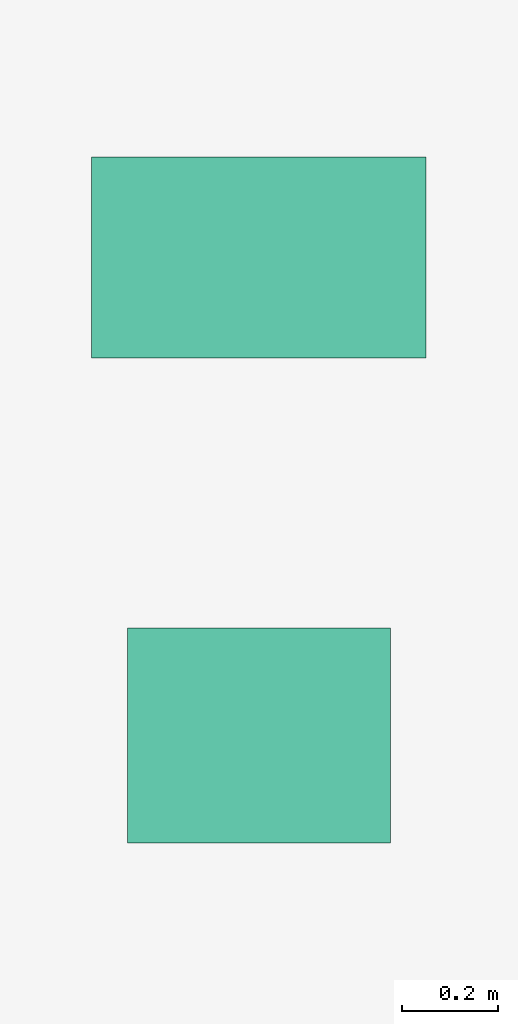
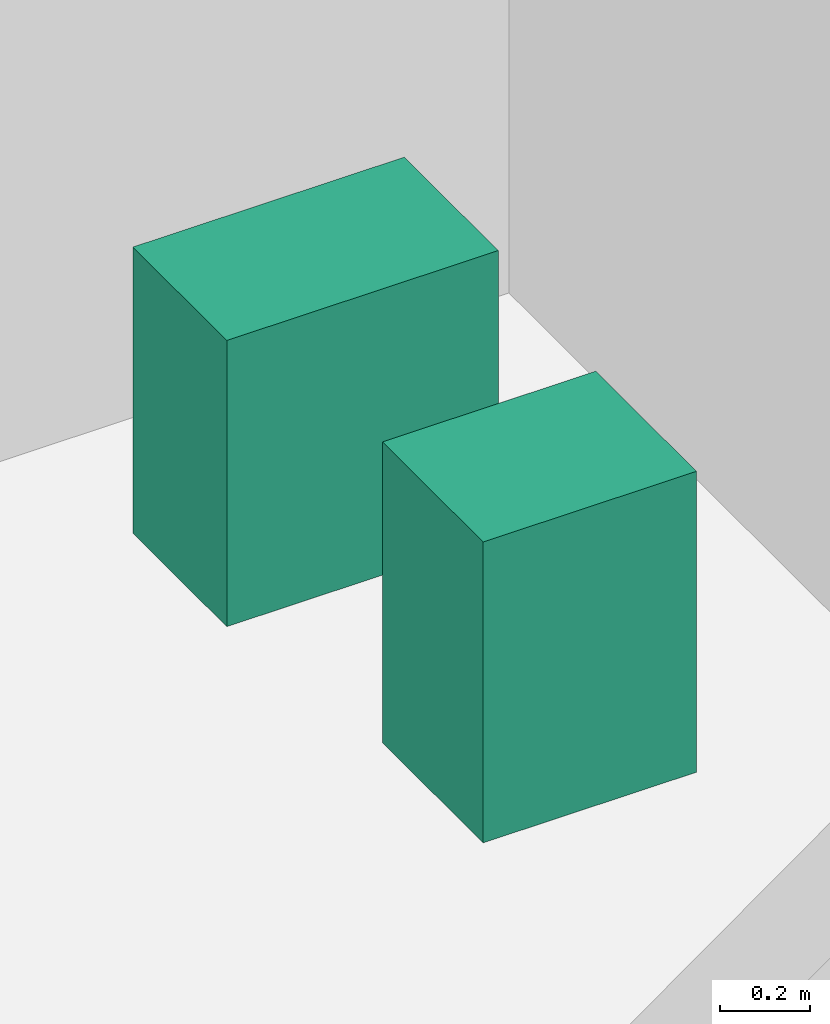
# One storey, part 28 of 28: 2 sanitary terminals.
"""IFC4 building model written with IfcOpenShell, lengths in metres."""

from ifc_helpers import new_model, si_unit, direction, frame, origin, origin_2d, place, context, subcontext, project, spatial, rectangle, extrude, source, transform, mapped, material, type_object, element, save


model = new_model("IFC4")

# Units and contexts
model_context = context("Model", 3, precision=1e-05, world=origin(), true_north=direction((0.0, 1.0)))
body_context = subcontext(model_context, "Body", "Model", "MODEL_VIEW")
ifc_project = project(units=[si_unit("LENGTHUNIT", "METRE"), si_unit("AREAUNIT", "SQUARE_METRE"), si_unit("VOLUMEUNIT", "CUBIC_METRE"), si_unit("PLANEANGLEUNIT", "RADIAN"), si_unit("MASSUNIT", "GRAM", prefix="KILO")], contexts=[model_context])

# Site, building, storey
site_placement = place(None, origin())
site = spatial("IfcSite", under=ifc_project, at=site_placement, CompositionType="ELEMENT")
building_placement = place(site_placement, origin())
building = spatial("IfcBuilding", under=site, at=building_placement, Name="Sumidabori Civic Tower", CompositionType="ELEMENT")
storey_placement = place(building_placement, frame((0.0, 0.0, 171.199951171875)))
storey = spatial("IfcBuildingStorey", under=building, at=storey_placement, Name="L44", CompositionType="ELEMENT", Elevation=171.199951171875)

# Sanitary terminals
ifc_material = material(Name="Vitreous Sanitary Porcelain")
sanitary_terminal_type_1 = type_object("IfcSanitaryTerminalType", Name="SN-WC-1", PredefinedType="TOILETPAN", material=ifc_material)
shared_shape_1 = source(origin(), body_context, "Body", "SweptSolid", [
    extrude(rectangle(XDim=0.699951171875, YDim=0.419921875, at=origin_2d()), origin(), (0.0, 0.0, 1.0), 0.780029296875),
])
sanitary_terminal_1_placement = place(storey_placement, frame((10.800048828125, 21.85009765625, 0.0), z_axis=(0.0, 0.0, 1.0), x_axis=(1.0, 0.0, 0.0)))
element("IfcSanitaryTerminal", 1, at=sanitary_terminal_1_placement, inside=storey, type_object=sanitary_terminal_type_1, Name="Accessible WC Pan L44", PredefinedType="TOILETPAN", context=body_context, shape_type="MappedRepresentation", body=[
    mapped(shared_shape_1, transform((0.0, 0.0, 0.0), x_axis=(1.0, 0.0, 0.0), y_axis=(0.0, 1.0, 0.0), z_axis=(0.0, 0.0, 1.0), scale=1.0)),
])
sanitary_terminal_type_2 = type_object("IfcSanitaryTerminalType", Name="SN-BAS-1", PredefinedType="WASHHANDBASIN", material=ifc_material)
shared_shape_2 = source(origin(), body_context, "Body", "SweptSolid", [
    extrude(rectangle(XDim=0.550048828125, YDim=0.449951171875, at=origin_2d()), origin(), (0.0, 0.0, 1.0), 0.820068359375),
])
sanitary_terminal_2_placement = place(storey_placement, frame((10.800048828125, 20.85009765625, 0.0), z_axis=(0.0, 0.0, 1.0), x_axis=(1.0, 0.0, 0.0)))
element("IfcSanitaryTerminal", 2, at=sanitary_terminal_2_placement, inside=storey, type_object=sanitary_terminal_type_2, Name="Accessible Basin L44", PredefinedType="WASHHANDBASIN", context=body_context, shape_type="MappedRepresentation", body=[
    mapped(shared_shape_2, transform((0.0, 0.0, 0.0), x_axis=(1.0, 0.0, 0.0), y_axis=(0.0, 1.0, 0.0), z_axis=(0.0, 0.0, 1.0), scale=1.0)),
])

save(model, "model.ifc")
